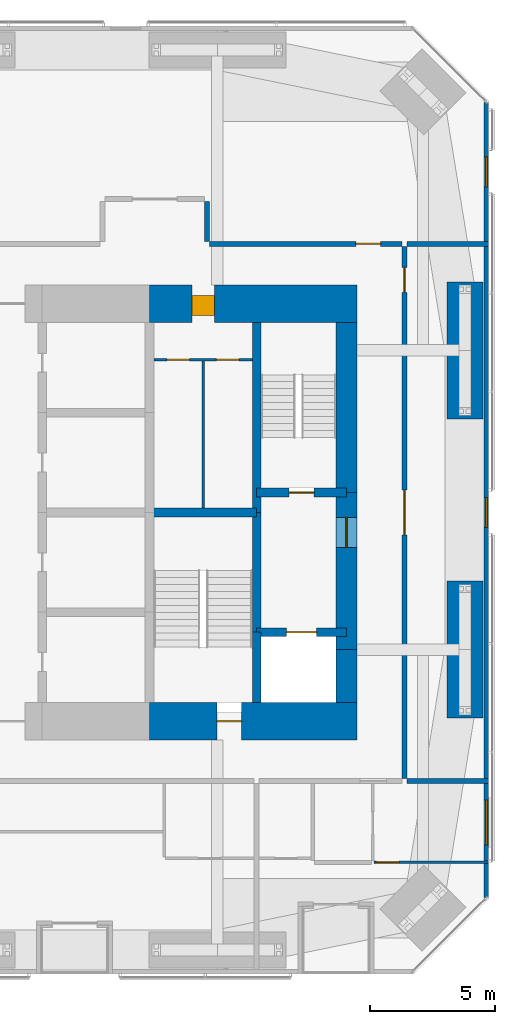
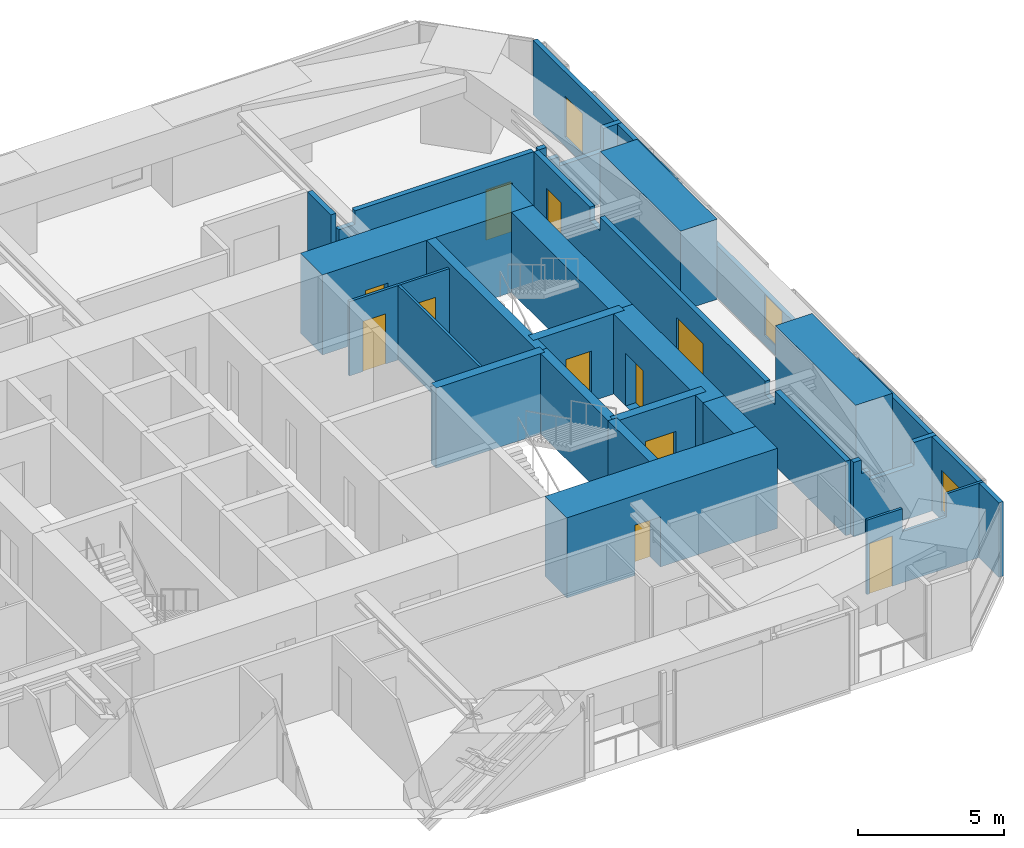
# One storey, part 21 of 24: 22 walls, 11 doors, 3 windows, 14 openings.
"""IFC4 building model written with IfcOpenShell, lengths in metres."""

import ifcopenshell
import ifcopenshell.guid

model = None  # the IFC model being written
_history = None  # IfcOwnerHistory: only IFC2X3 demands one
_inside = {}  # id of a spatial element -> (the spatial element, [elements in it])
_under = {}  # id of a project, library or spatial element -> (it, [spatial elements below it])
_declared = {}  # id of a project -> (the project, [libraries it declares])
_typed = {}  # id of a type object -> (the type object, [elements of that type])
_made_of = {}  # id of a material, layer set ... -> (it, [elements and type objects made of it])


def new_model(schema):
    """Start an empty IFC model of exactly this schema.

    Asked for "IFC4X3", IfcOpenShell would pick the latest addendum, in which some entities
    have other attributes; the version numbers below select the first issue.
    IFC2X3 requires an IfcOwnerHistory on every rooted entity: one is made here for all.
    """
    global model, _history
    if schema == "IFC4X3":
        model = ifcopenshell.file(schema_version=(4, 3, 0, 0))
    else:
        model = ifcopenshell.file(schema=schema)
    _inside.clear()
    _under.clear()
    _declared.clear()
    _typed.clear()
    _made_of.clear()
    _history = None
    if model.schema == "IFC2X3":
        org = make("IfcOrganization", Name="unknown")
        user = make(
            "IfcPersonAndOrganization",
            ThePerson=make("IfcPerson", FamilyName="unknown"),
            TheOrganization=org,
        )
        app = make(
            "IfcApplication",
            ApplicationDeveloper=org,
            Version="unknown",
            ApplicationFullName="unknown",
            ApplicationIdentifier="unknown",
        )
        _history = make(
            "IfcOwnerHistory",
            OwningUser=user,
            OwningApplication=app,
            ChangeAction="ADDED",
            CreationDate=0,
        )
    return model


def make(cls, **values):
    """One entity of the class cls with the attributes given. An attribute that is None is left unset."""
    return model.create_entity(
        cls, **{name: value for name, value in values.items() if value is not None}
    )


def rooted(cls, **values):
    """An entity with a GlobalId (a new one), such as an element, a storey or a relation."""
    return make(cls, GlobalId=ifcopenshell.guid.new(), OwnerHistory=_history, **values)


def si_unit(unit_type, name, prefix=None):
    """IfcSIUnit, for example si_unit("LENGTHUNIT", "METRE", prefix="MILLI")."""
    return make("IfcSIUnit", UnitType=unit_type, Prefix=prefix, Name=name)


def assignment(units):
    """IfcUnitAssignment: the units of a project."""
    return None if units is None else make("IfcUnitAssignment", Units=units)


def point(xyz):
    """IfcCartesianPoint."""
    return None if xyz is None else make("IfcCartesianPoint", Coordinates=xyz)


def direction(xyz):
    """IfcDirection."""
    return None if xyz is None else make("IfcDirection", DirectionRatios=xyz)


def frame(location, z_axis=None, x_axis=None):
    """IfcAxis2Placement3D, a coordinate frame: its origin and axes. An axis left out is left unset."""
    return make(
        "IfcAxis2Placement3D",
        Location=point(location),
        Axis=direction(z_axis),
        RefDirection=direction(x_axis),
    )


def frame_2d(location, x_axis=None):
    """IfcAxis2Placement2D, a coordinate frame in the plane: its origin and x axis."""
    return make(
        "IfcAxis2Placement2D", Location=point(location), RefDirection=direction(x_axis)
    )


def origin():
    """The frame at (0, 0, 0) with its axes left unset."""
    return frame((0.0, 0.0, 0.0))


def place(relative_to, where):
    """IfcLocalPlacement: puts the frame where relative to a parent placement (None: the world)."""
    return make(
        "IfcLocalPlacement", PlacementRelTo=relative_to, RelativePlacement=where
    )


def context(
    kind, dimensions, precision=None, world=None, true_north=None, identifier=None
):
    """IfcGeometricRepresentationContext, for example the 3D "Model" context."""
    return make(
        "IfcGeometricRepresentationContext",
        ContextIdentifier=identifier,
        ContextType=kind,
        CoordinateSpaceDimension=dimensions,
        Precision=precision,
        WorldCoordinateSystem=world,
        TrueNorth=true_north,
    )


def subcontext(parent, identifier, kind, view, scale=None):
    """IfcGeometricRepresentationSubContext, for example "Body" below "Model"."""
    return make(
        "IfcGeometricRepresentationSubContext",
        ContextIdentifier=identifier,
        ContextType=kind,
        ParentContext=parent,
        TargetScale=scale,
        TargetView=view,
    )


def project(units=None, contexts=None):
    """IfcProject with its units and contexts."""
    return rooted(
        "IfcProject",
        Name="project",
        RepresentationContexts=contexts,
        UnitsInContext=assignment(units),
    )


def spatial(cls, under=None, at=None, **own):
    """A site, building, storey or space (cls), placed at a placement, below another one or the project."""
    s = rooted(cls, ObjectPlacement=at, **own)
    if under is not None:
        _under.setdefault(under.id(), (under, []))[1].append(s)
    return s


def polyline(points):
    """IfcPolyline through the points."""
    return make("IfcPolyline", Points=[point(p) for p in points])


def profile(cls, at=None, kind="AREA", **sizes):
    """A parametric profile (cls). Its sizes go by their IFC names, for example OverallWidth=200.0."""
    return make(cls, ProfileType=kind, Position=at, **sizes)


def rectangle(**sizes):
    """IfcRectangleProfileDef."""
    return profile("IfcRectangleProfileDef", **sizes)


def outline(outer, holes=None, kind="AREA"):
    """IfcArbitraryClosedProfileDef: a profile drawn as a closed curve; with holes, ...WithVoids."""
    if holes is None:
        return make("IfcArbitraryClosedProfileDef", ProfileType=kind, OuterCurve=outer)
    return make(
        "IfcArbitraryProfileDefWithVoids",
        ProfileType=kind,
        OuterCurve=outer,
        InnerCurves=holes,
    )


def extrude(swept, where, along, depth):
    """IfcExtrudedAreaSolid: the profile swept, set in the frame where, extruded along a direction by depth."""
    return make(
        "IfcExtrudedAreaSolid",
        SweptArea=swept,
        Position=where,
        ExtrudedDirection=direction(along),
        Depth=depth,
    )


def shape(context_of_items, identifier, shape_type, items):
    """IfcShapeRepresentation: the items that make up one representation, for example the "Body"."""
    return make(
        "IfcShapeRepresentation",
        ContextOfItems=context_of_items,
        RepresentationIdentifier=identifier,
        RepresentationType=shape_type,
        Items=items,
    )


def material(Name=None, Category=None):
    """IfcMaterial."""
    return make("IfcMaterial", Name=Name, Category=Category)


def layer(
    of_material, thickness, ventilated=None, Name=None, Category=None, Priority=None
):
    """IfcMaterialLayer: one layer of a wall or slab, of a material (None: an air gap)."""
    return make(
        "IfcMaterialLayer",
        Material=of_material,
        LayerThickness=thickness,
        IsVentilated=ventilated,
        Name=Name,
        Category=Category,
        Priority=Priority,
    )


def layer_set(layers, Name=None):
    """IfcMaterialLayerSet."""
    return make("IfcMaterialLayerSet", MaterialLayers=layers, LayerSetName=Name)


def constituent(of_material, Name=None, Category=None, fraction=None):
    """IfcMaterialConstituent: one of the materials an element consists of."""
    return make(
        "IfcMaterialConstituent",
        Name=Name,
        Material=of_material,
        Fraction=fraction,
        Category=Category,
    )


def constituent_set(constituents=None, Name=None):
    """IfcMaterialConstituentSet."""
    return make(
        "IfcMaterialConstituentSet", Name=Name, MaterialConstituents=constituents
    )


def made_of(thing, what):
    """Note that an element or type object is made of a material, layer set ...; save() writes the relation."""
    if what is not None:
        _made_of.setdefault(what.id(), (what, []))[1].append(thing)
    return thing


def type_object(cls, material=None, **own):
    """A type object (cls), such as IfcWallType, which elements share."""
    return made_of(rooted(cls, **own), material)


def element(
    cls,
    number,
    at=None,
    inside=None,
    cuts=None,
    type_object=None,
    material=None,
    context=None,
    identifier="Body",
    shape_type=None,
    held_by="IfcProductDefinitionShape",
    body=None,
    shapes=None,
    **own,
):
    """One element of the class cls, such as IfcWall. Its Tag is "e" and its number.

    at: its placement. inside: the storey or other place that contains it. cuts: it is an
    opening in that element (IfcRelVoidsElement). A single representation is given by context,
    identifier, shape_type and body (its items); several are given by shapes. held_by: the class
    of the entity that holds the representations. save() writes the other relations.
    """
    e = rooted(cls, Tag="e%d" % number, ObjectPlacement=at, **own)
    if body is not None:
        shapes = [shape(context, identifier, shape_type, body)]
    if shapes is not None:
        e.Representation = make(held_by, Representations=shapes)
    if inside is not None:
        _inside.setdefault(inside.id(), (inside, []))[1].append(e)
    if cuts is not None:
        rooted(
            "IfcRelVoidsElement", RelatingBuildingElement=cuts, RelatedOpeningElement=e
        )
    if type_object is not None:
        _typed.setdefault(type_object.id(), (type_object, []))[1].append(e)
    return made_of(e, material)


def fill(opening, filler):
    """IfcRelFillsElement: the door or window that sits in an opening."""
    return rooted(
        "IfcRelFillsElement",
        RelatingOpeningElement=opening,
        RelatedBuildingElement=filler,
    )


def aggregate(whole, parts):
    """IfcRelAggregates: a whole, such as a stair, and the parts it consists of."""
    return rooted("IfcRelAggregates", RelatingObject=whole, RelatedObjects=parts)


def save(model, path):
    """Write the relations noted so far, then the file.

    IfcRelAggregates (storeys below a building ...), IfcRelContainedInSpatialStructure (elements
    in a storey), IfcRelDefinesByType, IfcRelAssociatesMaterial and IfcRelDeclares: one each for
    every whole, place, type object, material and project.
    """
    for whole, parts in _under.values():
        aggregate(whole, parts)
    for where, things in _inside.values():
        rooted(
            "IfcRelContainedInSpatialStructure",
            RelatedElements=things,
            RelatingStructure=where,
        )
    for kind, things in _typed.values():
        rooted("IfcRelDefinesByType", RelatedObjects=things, RelatingType=kind)
    for what, things in _made_of.values():
        rooted("IfcRelAssociatesMaterial", RelatedObjects=things, RelatingMaterial=what)
    for by, libraries in _declared.values():
        rooted("IfcRelDeclares", RelatingContext=by, RelatedDefinitions=libraries)
    model.write(path)


model = new_model("IFC4")

# Units and contexts
model_context = context("Model", 3, precision=1e-05, world=origin(), true_north=direction((0.0, 1.0)))
body_context = subcontext(model_context, "Body", "Model", "MODEL_VIEW")
ifc_project = project(units=[si_unit("LENGTHUNIT", "METRE"), si_unit("AREAUNIT", "SQUARE_METRE"), si_unit("VOLUMEUNIT", "CUBIC_METRE"), si_unit("PLANEANGLEUNIT", "RADIAN"), si_unit("MASSUNIT", "GRAM", prefix="KILO")], contexts=[model_context])

# Site, building, storey
site_placement = place(None, origin())
site = spatial("IfcSite", under=ifc_project, at=site_placement, CompositionType="ELEMENT")
building_placement = place(site_placement, origin())
building = spatial("IfcBuilding", under=site, at=building_placement, Name="Jalousie Tower", CompositionType="ELEMENT")
storey_placement = place(building_placement, frame((0.0, 0.0, 131.64990234375)))
storey = spatial("IfcBuildingStorey", under=building, at=storey_placement, Name="L36", CompositionType="ELEMENT", Elevation=131.64990234375)

# Wall, opening, door
ifc_material_1 = material(Name="Concrete f'c 120 MPa", Category="concrete")
ifc_layer_1 = layer(ifc_material_1, 1.5)
ifc_layer_set_1 = layer_set([ifc_layer_1], Name="Concrete f'c 120 MPa")
wall_type_1 = type_object("IfcWallType", Name="CORE WALL 1500", PredefinedType="SHEAR", material=ifc_layer_set_1)
wall_1_placement = place(storey_placement, frame((35.89990234375, 10.125, 0.0), z_axis=(0.0, 0.0, 1.0), x_axis=(1.0, 0.0, 0.0)))
wall_1 = element("IfcWall", 1, at=wall_1_placement, inside=storey, type_object=wall_type_1, Name="Core wall SD L36", PredefinedType="SHEAR", context=body_context, shape_type="SweptSolid", body=[
    extrude(rectangle(XDim=8.3251953125, YDim=1.5, at=frame_2d((4.16259765625, 0.0))), origin(), (0.0, 0.0, 1.0), 3.35009765625),
])
opening_1_placement = place(wall_1_placement, frame((2.699951171875, 0.0, 0.0)))
opening_1 = element("IfcOpeningElement", 2, at=opening_1_placement, cuts=wall_1, Name="Opening D10", PredefinedType="OPENING", context=body_context, shape_type="SweptSolid", body=[
    extrude(rectangle(XDim=1.0, YDim=2.10009765625, at=frame_2d((0.5, 1.050048828125))), frame((0.0, 0.760009765625, 0.0), z_axis=(0.0, -1.0, 0.0), x_axis=(1.0, 0.0, 0.0)), (0.0, 0.0, 1.0), 1.52001953125),
])
ifc_material_2 = material(Name="Steel fire door", Category="steel")
door_type_1 = type_object("IfcDoorType", Name="STAIR DOOR 1000", OperationType="SINGLE_SWING_LEFT", PredefinedType="DOOR", material=ifc_material_2)
door_1_placement = place(opening_1_placement, origin())
door_1 = element("IfcDoor", 3, at=door_1_placement, inside=storey, type_object=door_type_1, Name="Exit stair C door", OperationType="SINGLE_SWING_RIGHT", OverallHeight=2.10009765625, OverallWidth=1.0, PredefinedType="DOOR", context=body_context, shape_type="SweptSolid", body=[
    extrude(rectangle(XDim=1.0, YDim=2.10009765625, at=frame_2d((0.5, 1.050048828125))), frame((0.0, 0.02490234375, 0.0), z_axis=(0.0, -1.0, 0.0), x_axis=(1.0, 0.0, 0.0)), (0.0, 0.0, 1.0), 0.050048828125),
])
fill(opening_1, door_1)

wall_2_placement = place(storey_placement, frame((44.22509765625, 26.875, 0.0), z_axis=(0.0, 0.0, 1.0), x_axis=(-1.0, 0.0, 0.0)))
wall_2 = element("IfcWall", 4, at=wall_2_placement, inside=storey, type_object=wall_type_1, Name="Core wall NA L36", PredefinedType="SHEAR", context=body_context, shape_type="SweptSolid", body=[
    extrude(rectangle(XDim=8.3251953125, YDim=1.5, at=frame_2d((4.16259765625, 0.0))), origin(), (0.0, 0.0, 1.0), 3.35009765625),
])
opening_2_placement = place(wall_2_placement, frame((5.72509765625, 0.0, 0.0)))
opening_2 = element("IfcOpeningElement", 5, at=opening_2_placement, cuts=wall_2, Name="Opening D25", PredefinedType="OPENING", context=body_context, shape_type="SweptSolid", body=[
    extrude(rectangle(XDim=0.89990234375, YDim=2.10009765625, at=frame_2d((0.449951171875, 1.050048828125))), frame((0.0, 0.760009765625, 0.0), z_axis=(0.0, -1.0, 0.0), x_axis=(1.0, 0.0, 0.0)), (0.0, 0.0, 1.0), 1.52001953125),
])
ifc_material_3 = material(Name="Steel fire door", Category="steel")
door_type_2 = type_object("IfcDoorType", Name="SERVICE LOBBY DOOR 900", OperationType="SINGLE_SWING_LEFT", PredefinedType="DOOR", material=ifc_material_3)
door_2_placement = place(opening_2_placement, origin())
door_2 = element("IfcDoor", 6, at=door_2_placement, inside=storey, type_object=door_type_2, Name="Service lobby door", OperationType="SINGLE_SWING_LEFT", OverallHeight=2.10009765625, OverallWidth=0.89990234375, PredefinedType="DOOR", context=body_context, shape_type="SweptSolid", body=[
    extrude(rectangle(XDim=0.89990234375, YDim=2.10009765625, at=frame_2d((0.449951171875, 1.050048828125))), frame((0.0, 0.47021484375, 0.0), z_axis=(0.0, -1.0, 0.0), x_axis=(1.0, 0.0, 0.0)), (0.0, 0.0, 1.0), 0.800048828125),
])
fill(opening_2, door_2)

# Walls
ifc_material_4 = material(Name="Concrete f'c 120 MPa", Category="concrete")
ifc_layer_2 = layer(ifc_material_4, 0.35009765625)
ifc_layer_set_2 = layer_set([ifc_layer_2], Name="Concrete f'c 120 MPa")
wall_type_2 = type_object("IfcWallType", Name="CORE WALL 350", PredefinedType="SHEAR", material=ifc_layer_set_2)
wall_3_placement = place(storey_placement, frame((40.199951171875, 10.875, 0.0), z_axis=(0.0, 0.0, 1.0), x_axis=(0.0, 1.0, 0.0)))
element("IfcWall", 7, at=wall_3_placement, inside=storey, type_object=wall_type_2, Name="Core wall X40.2A L36", PredefinedType="SHEAR", context=body_context, shape_type="SweptSolid", body=[
    extrude(rectangle(XDim=2.824951171875, YDim=0.35009765625, at=frame_2d((1.41259765625, 0.0))), origin(), (0.0, 0.0, 1.0), 3.35009765625),
])
wall_4_placement = place(storey_placement, frame((40.199951171875, 13.699951171875, 0.0), z_axis=(0.0, 0.0, 1.0), x_axis=(0.0, 1.0, 0.0)))
element("IfcWall", 8, at=wall_4_placement, inside=storey, type_object=wall_type_2, Name="Core wall X40.2B L36", PredefinedType="SHEAR", context=body_context, shape_type="SweptSolid", body=[
    extrude(rectangle(XDim=4.800048828125, YDim=0.35009765625, at=frame_2d((2.39990234375, 0.0))), origin(), (0.0, 0.0, 1.0), 3.35009765625),
])
wall_5_placement = place(storey_placement, frame((40.199951171875, 18.5, 0.0), z_axis=(0.0, 0.0, 1.0), x_axis=(0.0, 1.0, 0.0)))
element("IfcWall", 9, at=wall_5_placement, inside=storey, type_object=wall_type_2, Name="Core wall X40.2C L36", PredefinedType="SHEAR", context=body_context, shape_type="SweptSolid", body=[
    extrude(rectangle(XDim=7.625, YDim=0.35009765625, at=frame_2d((3.8125, 0.0))), origin(), (0.0, 0.0, 1.0), 3.35009765625),
])
wall_6_placement = place(storey_placement, frame((35.89990234375, 18.5, 0.0), z_axis=(0.0, 0.0, 1.0), x_axis=(1.0, 0.0, 0.0)))
element("IfcWall", 10, at=wall_6_placement, inside=storey, type_object=wall_type_2, Name="Core wall Y35.9-18.5 L36", PredefinedType="SHEAR", context=body_context, shape_type="SweptSolid", body=[
    extrude(rectangle(XDim=4.300048828125, YDim=0.35009765625, at=frame_2d((2.14990234375, 0.0))), origin(), (0.0, 0.0, 1.0), 3.35009765625),
])

# Wall, opening, door
wall_7_placement = place(storey_placement, frame((40.199951171875, 13.699951171875, 0.0), z_axis=(0.0, 0.0, 1.0), x_axis=(1.0, 0.0, 0.0)))
wall_7 = element("IfcWall", 11, at=wall_7_placement, inside=storey, type_object=wall_type_2, Name="Core wall Y40.2-13.7 L36", PredefinedType="SHEAR", context=body_context, shape_type="SweptSolid", body=[
    extrude(rectangle(XDim=3.60009765625, YDim=0.35009765625, at=frame_2d((1.800048828125, 0.0))), origin(), (0.0, 0.0, 1.0), 3.35009765625),
])
opening_3_placement = place(wall_7_placement, frame((1.199951171875, 0.0, 0.0)))
opening_3 = element("IfcOpeningElement", 12, at=opening_3_placement, cuts=wall_7, Name="Opening LD2", PredefinedType="OPENING", context=body_context, shape_type="SweptSolid", body=[
    extrude(rectangle(XDim=1.199951171875, YDim=2.10009765625, at=frame_2d((0.60009765625, 1.050048828125))), frame((0.0, 0.18505859375, 0.0), z_axis=(0.0, -1.0, 0.0), x_axis=(1.0, 0.0, 0.0)), (0.0, 0.0, 1.0), 0.3701171875),
])
ifc_material_5 = material(Name="Steel lift landing door", Category="steel")
door_type_3 = type_object("IfcDoorType", Name="LIFT LANDING DOOR 1200", OperationType="SLIDING_TO_LEFT", PredefinedType="DOOR", material=ifc_material_5)
door_3_placement = place(opening_3_placement, origin())
door_3 = element("IfcDoor", 13, at=door_3_placement, inside=storey, type_object=door_type_3, Name="Lift F2 landing door", OperationType="SLIDING_TO_LEFT", OverallHeight=2.10009765625, OverallWidth=1.199951171875, PredefinedType="DOOR", context=body_context, shape_type="SweptSolid", body=[
    extrude(rectangle(XDim=1.199951171875, YDim=2.10009765625, at=frame_2d((0.60009765625, 1.050048828125))), frame((0.0, 0.02490234375, 0.0), z_axis=(0.0, -1.0, 0.0), x_axis=(1.0, 0.0, 0.0)), (0.0, 0.0, 1.0), 0.050048828125),
])
fill(opening_3, door_3)

wall_8_placement = place(storey_placement, frame((40.199951171875, 19.300048828125, 0.0), z_axis=(0.0, 0.0, 1.0), x_axis=(1.0, 0.0, 0.0)))
wall_8 = element("IfcWall", 14, at=wall_8_placement, inside=storey, type_object=wall_type_2, Name="Core wall Y40.2-19.3 L36", PredefinedType="SHEAR", context=body_context, shape_type="SweptSolid", body=[
    extrude(rectangle(XDim=3.60009765625, YDim=0.35009765625, at=frame_2d((1.800048828125, 0.0))), origin(), (0.0, 0.0, 1.0), 3.35009765625),
])
opening_4_placement = place(wall_8_placement, frame((1.300048828125, 0.0, 0.0)))
opening_4 = element("IfcOpeningElement", 15, at=opening_4_placement, cuts=wall_8, Name="Opening D10", PredefinedType="OPENING", context=body_context, shape_type="SweptSolid", body=[
    extrude(rectangle(XDim=1.0, YDim=2.10009765625, at=frame_2d((0.5, 1.050048828125))), frame((0.0, 0.18505859375, 0.0), z_axis=(0.0, -1.0, 0.0), x_axis=(1.0, 0.0, 0.0)), (0.0, 0.0, 1.0), 0.3701171875),
])
door_4_placement = place(opening_4_placement, origin())
door_4 = element("IfcDoor", 16, at=door_4_placement, inside=storey, type_object=door_type_1, Name="Exit stair B door", OperationType="SINGLE_SWING_RIGHT", OverallHeight=2.10009765625, OverallWidth=1.0, PredefinedType="DOOR", context=body_context, shape_type="SweptSolid", body=[
    extrude(rectangle(XDim=1.0, YDim=2.10009765625, at=frame_2d((0.5, 1.050048828125))), frame((0.0, 0.02490234375, 0.0), z_axis=(0.0, -1.0, 0.0), x_axis=(1.0, 0.0, 0.0)), (0.0, 0.0, 1.0), 0.050048828125),
])
fill(opening_4, door_4)

# Wall
ifc_material_6 = material(Name="Concrete f'c 120 MPa", Category="concrete")
ifc_layer_3 = layer(ifc_material_6, 0.85009765625)
ifc_layer_set_3 = layer_set([ifc_layer_3], Name="Concrete f'c 120 MPa")
wall_type_3 = type_object("IfcWallType", Name="CORE WALL 850", PredefinedType="SHEAR", material=ifc_layer_set_3)
wall_9_placement = place(storey_placement, frame((43.800048828125, 10.875, 0.0), z_axis=(0.0, 0.0, 1.0), x_axis=(0.0, 1.0, 0.0)))
element("IfcWall", 17, at=wall_9_placement, inside=storey, type_object=wall_type_3, Name="Core wall EA L36", PredefinedType="SHEAR", context=body_context, shape_type="SweptSolid", body=[
    extrude(rectangle(XDim=2.125, YDim=0.85009765625, at=frame_2d((1.0625, 0.0))), origin(), (0.0, 0.0, 1.0), 3.35009765625),
])

# Wall, opening, door
wall_10_placement = place(storey_placement, frame((43.800048828125, 13.0, 0.0), z_axis=(0.0, 0.0, 1.0), x_axis=(0.0, 1.0, 0.0)))
wall_10 = element("IfcWall", 18, at=wall_10_placement, inside=storey, type_object=wall_type_3, Name="Core wall EB L36", PredefinedType="SHEAR", context=body_context, shape_type="SweptSolid", body=[
    extrude(rectangle(XDim=6.300048828125, YDim=0.85009765625, at=frame_2d((3.14990234375, 0.0))), origin(), (0.0, 0.0, 1.0), 3.35009765625),
])
opening_5_placement = place(wall_10_placement, frame((4.10009765625, 0.0, 0.0)))
opening_5 = element("IfcOpeningElement", 19, at=opening_5_placement, cuts=wall_10, Name="Opening D11", PredefinedType="OPENING", context=body_context, shape_type="SweptSolid", body=[
    extrude(rectangle(XDim=1.199951171875, YDim=2.199951171875, at=frame_2d((0.60009765625, 1.10009765625))), frame((0.0, 0.43505859375, 0.0), z_axis=(0.0, -1.0, 0.0), x_axis=(1.0, 0.0, 0.0)), (0.0, 0.0, 1.0), 0.8701171875),
])
ifc_material_7 = material(Name="Steel fire door", Category="steel")
door_type_4 = type_object("IfcDoorType", Name="FIRE DOOR 1200", OperationType="SINGLE_SWING_LEFT", PredefinedType="DOOR", material=ifc_material_7)
door_5_placement = place(opening_5_placement, origin())
door_5 = element("IfcDoor", 20, at=door_5_placement, inside=storey, type_object=door_type_4, Name="Fire-fighting lobby B door", OperationType="SINGLE_SWING_RIGHT", OverallHeight=2.199951171875, OverallWidth=1.199951171875, PredefinedType="DOOR", context=body_context, shape_type="SweptSolid", body=[
    extrude(rectangle(XDim=1.199951171875, YDim=2.199951171875, at=frame_2d((0.60009765625, 1.10009765625))), frame((0.0, 0.02490234375, 0.0), z_axis=(0.0, -1.0, 0.0), x_axis=(1.0, 0.0, 0.0)), (0.0, 0.0, 1.0), 0.050048828125),
])
fill(opening_5, door_5)

# Wall
wall_11_placement = place(storey_placement, frame((43.800048828125, 19.300048828125, 0.0), z_axis=(0.0, 0.0, 1.0), x_axis=(0.0, 1.0, 0.0)))
element("IfcWall", 21, at=wall_11_placement, inside=storey, type_object=wall_type_3, Name="Core wall EC L36", PredefinedType="SHEAR", context=body_context, shape_type="SweptSolid", body=[
    extrude(rectangle(XDim=6.824951171875, YDim=0.85009765625, at=frame_2d((3.41259765625, 0.0))), origin(), (0.0, 0.0, 1.0), 3.35009765625),
])

# Wall, openings, doors
ifc_material_8 = material(Name="Concrete block ASTM C90", Category="concrete")
ifc_constituent_1 = constituent(ifc_material_8, Name="Body")
ifc_material_9 = material(Name="Render")
ifc_constituent_2 = constituent(ifc_material_9, Name="Finish")
ifc_constituent_set_1 = constituent_set(constituents=[ifc_constituent_1, ifc_constituent_2])
wall_type_4 = type_object("IfcWallType", Name="CORRIDOR WALL 200", PredefinedType="PARTITIONING", material=ifc_constituent_set_1)
wall_12_placement = place(storey_placement, frame((46.125, 7.824951171875, 0.0), z_axis=(0.0, 0.0, 1.0), x_axis=(0.0, 1.0, 0.0)))
wall_12 = element("IfcWall", 22, at=wall_12_placement, inside=storey, type_object=wall_type_4, Name="Corridor Wall 200 L36", PredefinedType="PARTITIONING", context=body_context, shape_type="SweptSolid", body=[
    extrude(outline(polyline([(0.0, 0.0), (21.35009765625, 0.0), (21.35009765625, 3.110107421875), (17.512451171875, 3.110107421875), (17.512451171875, 2.541015625), (16.837646484375, 2.541015625), (16.837646484375, 3.110107421875), (5.51220703125, 3.110107421875), (5.51220703125, 2.541015625), (4.837646484375, 2.541015625), (4.837646484375, 3.110107421875), (0.0, 3.110107421875), (0.0, 0.0)])), frame((0.0, 0.10009765625, 0.0), z_axis=(0.0, -1.0, 0.0), x_axis=(1.0, 0.0, 0.0)), (0.0, 0.0, 1.0), 0.199951171875),
])
opening_6_placement = place(wall_12_placement, frame((9.77490234375, 0.0, 0.0)))
opening_6 = element("IfcOpeningElement", 23, at=opening_6_placement, cuts=wall_12, Name="Opening D22", PredefinedType="OPENING", context=body_context, shape_type="SweptSolid", body=[
    extrude(rectangle(XDim=1.800048828125, YDim=2.10009765625, at=frame_2d((0.89990234375, 1.050048828125))), frame((0.0, 0.10986328125, 0.0), z_axis=(0.0, -1.0, 0.0), x_axis=(1.0, 0.0, 0.0)), (0.0, 0.0, 1.0), 0.219970703125),
])
opening_7_placement = place(wall_12_placement, frame((19.5, 0.0, 0.0)))
opening_7 = element("IfcOpeningElement", 24, at=opening_7_placement, cuts=wall_12, Name="Opening D21", PredefinedType="OPENING", context=body_context, shape_type="SweptSolid", body=[
    extrude(rectangle(XDim=1.0, YDim=2.10009765625, at=frame_2d((0.5, 1.050048828125))), frame((0.0, 0.10986328125, 0.0), z_axis=(0.0, -1.0, 0.0), x_axis=(1.0, 0.0, 0.0)), (0.0, 0.0, 1.0), 0.219970703125),
])
ifc_material_10 = material(Name="Timber fire door", Category="wood")
door_type_5 = type_object("IfcDoorType", Name="CORRIDOR DOOR 1000", OperationType="SINGLE_SWING_LEFT", PredefinedType="DOOR", material=ifc_material_10)
door_6_placement = place(opening_7_placement, frame((1.0, 0.0, 0.0), z_axis=(0.0, 0.0, 1.0), x_axis=(-1.0, 0.0, 0.0)))
door_6 = element("IfcDoor", 25, at=door_6_placement, inside=storey, type_object=door_type_5, Name="Lounge second door", OperationType="SINGLE_SWING_LEFT", OverallHeight=2.10009765625, OverallWidth=1.0, PredefinedType="DOOR", context=body_context, shape_type="SweptSolid", body=[
    extrude(rectangle(XDim=1.0, YDim=2.10009765625, at=frame_2d((0.5, 1.050048828125))), frame((0.0, 0.02490234375, 0.0), z_axis=(0.0, -1.0, 0.0), x_axis=(1.0, 0.0, 0.0)), (0.0, 0.0, 1.0), 0.050048828125),
])
fill(opening_7, door_6)
ifc_material_11 = material(Name="Timber fire door", Category="wood")
door_type_6 = type_object("IfcDoorType", Name="CORRIDOR DOUBLE DOOR 1800", OperationType="DOUBLE_DOOR_SINGLE_SWING", PredefinedType="DOOR", material=ifc_material_11)
door_7_placement = place(opening_6_placement, frame((1.800048828125, 0.0, 0.0), z_axis=(0.0, 0.0, 1.0), x_axis=(-1.0, 0.0, 0.0)))
door_7 = element("IfcDoor", 26, at=door_7_placement, inside=storey, type_object=door_type_6, Name="Lounge door", OperationType="DOUBLE_DOOR_SINGLE_SWING", OverallHeight=2.10009765625, OverallWidth=1.800048828125, PredefinedType="DOOR", context=body_context, shape_type="SweptSolid", body=[
    extrude(rectangle(XDim=1.800048828125, YDim=2.10009765625, at=frame_2d((0.89990234375, 1.050048828125))), frame((0.0, 0.02490234375, 0.0), z_axis=(0.0, -1.0, 0.0), x_axis=(1.0, 0.0, 0.0)), (0.0, 0.0, 1.0), 0.050048828125),
])
fill(opening_6, door_7)

# Wall, opening, door
wall_13_placement = place(storey_placement, frame((38.3125, 29.27490234375, 0.0), z_axis=(0.0, 0.0, 1.0), x_axis=(1.0, 0.0, 0.0)))
wall_13 = element("IfcWall", 27, at=wall_13_placement, inside=storey, type_object=wall_type_4, Name="Corridor Wall 200 L36", PredefinedType="PARTITIONING", context=body_context, shape_type="SweptSolid", body=[
    extrude(outline(polyline([(0.0, 0.0), (7.71240234375, 0.0), (7.71240234375, 3.110107421875), (0.64990234375, 3.110107421875), (0.64990234375, 2.541015625), (0.0, 2.541015625), (0.0, 3.110107421875), (0.0, 0.0)])), frame((0.0, 0.10009765625, 0.0), z_axis=(0.0, -1.0, 0.0), x_axis=(1.0, 0.0, 0.0)), (0.0, 0.0, 1.0), 0.199951171875),
])
opening_8_placement = place(wall_13_placement, frame((5.862548828125, 0.0, 0.0)))
opening_8 = element("IfcOpeningElement", 28, at=opening_8_placement, cuts=wall_13, Name="Opening D21", PredefinedType="OPENING", context=body_context, shape_type="SweptSolid", body=[
    extrude(rectangle(XDim=1.0, YDim=2.10009765625, at=frame_2d((0.5, 1.050048828125))), frame((0.0, 0.10986328125, 0.0), z_axis=(0.0, -1.0, 0.0), x_axis=(1.0, 0.0, 0.0)), (0.0, 0.0, 1.0), 0.219970703125),
])
door_8_placement = place(opening_8_placement, origin())
door_8 = element("IfcDoor", 29, at=door_8_placement, inside=storey, type_object=door_type_5, Name="Residents' bay-view lounge second door", OperationType="SINGLE_SWING_RIGHT", OverallHeight=2.10009765625, OverallWidth=1.0, PredefinedType="DOOR", context=body_context, shape_type="SweptSolid", body=[
    extrude(rectangle(XDim=1.0, YDim=2.10009765625, at=frame_2d((0.5, 1.050048828125))), frame((0.0, 0.02490234375, 0.0), z_axis=(0.0, -1.0, 0.0), x_axis=(1.0, 0.0, 0.0)), (0.0, 0.0, 1.0), 0.050048828125),
])
fill(opening_8, door_8)

# Wall
wall_14_placement = place(storey_placement, frame((38.21240234375, 29.375, 0.0), z_axis=(0.0, 0.0, 1.0), x_axis=(0.0, 1.0, 0.0)))
element("IfcWall", 30, at=wall_14_placement, inside=storey, type_object=wall_type_4, Name="Corridor Wall 200 L36", PredefinedType="PARTITIONING", context=body_context, shape_type="SweptSolid", body=[
    extrude(rectangle(XDim=1.60009765625, YDim=0.199951171875, at=frame_2d((0.800048828125, 0.0))), origin(), (0.0, 0.0, 1.0), 3.110107421875),
])

# Wall, openings, windows
ifc_material_12 = material(Name="Concrete f'c 40 MPa", Category="concrete")
ifc_constituent_3 = constituent(ifc_material_12, Name="Body")
ifc_material_13 = material(Name="Render, pastel sea green")
ifc_constituent_4 = constituent(ifc_material_13, Name="Finish")
ifc_constituent_set_2 = constituent_set(constituents=[ifc_constituent_3, ifc_constituent_4])
wall_type_5 = type_object("IfcWallType", Name="EXTERNAL WALL 175 SEA GREEN RENDER", PredefinedType="SOLIDWALL", material=ifc_constituent_set_2)
wall_15_placement = place(storey_placement, frame((49.41259765625, 3.05126953125, 0.0), z_axis=(0.0, 0.0, 1.0), x_axis=(0.0, 1.0, 0.0)))
wall_15 = element("IfcWall", 31, at=wall_15_placement, inside=storey, type_object=wall_type_5, Name="External Wall 175 Sea Green Render L36", PredefinedType="SOLIDWALL", context=body_context, shape_type="SweptSolid", body=[
    extrude(outline(polyline([(0.0, 0.0), (31.8974609375, 0.0), (31.8974609375, 3.110107421875), (22.167236328125, 3.110107421875), (22.167236328125, 2.150146484375), (22.074462890625, 2.150146484375), (22.074462890625, 3.110107421875), (21.94873046875, 3.110107421875), (21.94873046875, 2.150146484375), (9.94873046875, 2.150146484375), (9.94873046875, 3.110107421875), (9.822998046875, 3.110107421875), (9.822998046875, 2.150146484375), (9.72998046875, 2.150146484375), (9.72998046875, 3.110107421875), (0.0, 3.110107421875), (0.0, 0.0)])), frame((0.0, 0.08740234375, 0.0), z_axis=(0.0, -1.0, 0.0), x_axis=(1.0, 0.0, 0.0)), (0.0, 0.0, 1.0), 0.175048828125),
])
opening_9_placement = place(wall_15_placement, frame((2.1181640625, 0.0, 0.39990234375)))
opening_9 = element("IfcOpeningElement", 32, at=opening_9_placement, cuts=wall_15, Name="Opening W-BED170", PredefinedType="OPENING", context=body_context, shape_type="SweptSolid", body=[
    extrude(rectangle(XDim=1.800048828125, YDim=1.699951171875, at=frame_2d((0.89990234375, 0.85009765625))), frame((0.0, 0.097412109375, 0.0), z_axis=(0.0, -1.0, 0.0), x_axis=(1.0, 0.0, 0.0)), (0.0, 0.0, 1.0), 0.195068359375),
])
opening_10_placement = place(wall_15_placement, frame((14.8486328125, 0.0, 0.39990234375)))
opening_10 = element("IfcOpeningElement", 33, at=opening_10_placement, cuts=wall_15, Name="Opening W-COR170", PredefinedType="OPENING", context=body_context, shape_type="SweptSolid", body=[
    extrude(rectangle(XDim=1.199951171875, YDim=1.699951171875, at=frame_2d((0.60009765625, 0.85009765625))), frame((0.0, 0.097412109375, 0.0), z_axis=(0.0, -1.0, 0.0), x_axis=(1.0, 0.0, 0.0)), (0.0, 0.0, 1.0), 0.195068359375),
])
opening_11_placement = place(wall_15_placement, frame((28.510498046875, 0.0, 0.39990234375)))
opening_11 = element("IfcOpeningElement", 34, at=opening_11_placement, cuts=wall_15, Name="Opening W-COR170", PredefinedType="OPENING", context=body_context, shape_type="SweptSolid", body=[
    extrude(rectangle(XDim=1.199951171875, YDim=1.699951171875, at=frame_2d((0.60009765625, 0.85009765625))), frame((0.0, 0.097412109375, 0.0), z_axis=(0.0, -1.0, 0.0), x_axis=(1.0, 0.0, 0.0)), (0.0, 0.0, 1.0), 0.195068359375),
])
ifc_material_14 = material(Name="Aluminium frame, impact-rated glazing", Category="aluminium")
window_type_1 = type_object("IfcWindowType", Name="WINDOW BED 1800x1700", PartitioningType="SINGLE_PANEL", PredefinedType="WINDOW", material=ifc_material_14)
window_1_placement = place(opening_9_placement, origin())
window_1 = element("IfcWindow", 35, at=window_1_placement, inside=storey, type_object=window_type_1, Name="Apartment 3602 bedroom 1 window", OverallHeight=1.699951171875, OverallWidth=1.800048828125, PartitioningType="SINGLE_PANEL", PredefinedType="WINDOW", context=body_context, shape_type="SweptSolid", body=[
    extrude(rectangle(XDim=1.800048828125, YDim=1.699951171875, at=frame_2d((0.89990234375, 0.85009765625))), frame((0.0, 0.030029296875, 0.0), z_axis=(0.0, -1.0, 0.0), x_axis=(1.0, 0.0, 0.0)), (0.0, 0.0, 1.0), 0.06005859375),
])
fill(opening_9, window_1)
ifc_material_15 = material(Name="Aluminium frame, impact-rated glazing", Category="aluminium")
window_type_2 = type_object("IfcWindowType", Name="WINDOW COR 1200x1700", PartitioningType="SINGLE_PANEL", PredefinedType="WINDOW", material=ifc_material_15)
window_2_placement = place(opening_10_placement, origin())
window_2 = element("IfcWindow", 36, at=window_2_placement, inside=storey, type_object=window_type_2, Name="Residents' lounge window", OverallHeight=1.699951171875, OverallWidth=1.199951171875, PartitioningType="SINGLE_PANEL", PredefinedType="WINDOW", context=body_context, shape_type="SweptSolid", body=[
    extrude(rectangle(XDim=1.199951171875, YDim=1.699951171875, at=frame_2d((0.60009765625, 0.85009765625))), frame((0.0, 0.030029296875, 0.0), z_axis=(0.0, -1.0, 0.0), x_axis=(1.0, 0.0, 0.0)), (0.0, 0.0, 1.0), 0.06005859375),
])
fill(opening_10, window_2)
window_3_placement = place(opening_11_placement, origin())
window_3 = element("IfcWindow", 37, at=window_3_placement, inside=storey, type_object=window_type_2, Name="Residents' bay-view lounge window", OverallHeight=1.699951171875, OverallWidth=1.199951171875, PartitioningType="SINGLE_PANEL", PredefinedType="WINDOW", context=body_context, shape_type="SweptSolid", body=[
    extrude(rectangle(XDim=1.199951171875, YDim=1.699951171875, at=frame_2d((0.60009765625, 0.85009765625))), frame((0.0, 0.030029296875, 0.0), z_axis=(0.0, -1.0, 0.0), x_axis=(1.0, 0.0, 0.0)), (0.0, 0.0, 1.0), 0.06005859375),
])
fill(opening_11, window_3)

# Wall, opening, door
ifc_material_16 = material(Name="Gypsum board", Category="gypsum")
ifc_constituent_5 = constituent(ifc_material_16, Name="Body")
ifc_material_17 = material(Name="Light-gauge steel studs ASTM A653 SS Grade 33", Category="steel")
ifc_constituent_6 = constituent(ifc_material_17, Name="Framing")
ifc_constituent_set_3 = constituent_set(constituents=[ifc_constituent_5, ifc_constituent_6])
wall_type_6 = type_object("IfcWallType", Name="PARTITION 100", PredefinedType="PARTITIONING", material=ifc_constituent_set_3)
wall_16_placement = place(storey_placement, frame((44.89990234375, 4.4638671875, 0.0), z_axis=(0.0, 0.0, 1.0), x_axis=(1.0, 0.0, 0.0)))
wall_16 = element("IfcWall", 38, at=wall_16_placement, inside=storey, type_object=wall_type_6, Name="Partition 100 L36", PredefinedType="PARTITIONING", context=body_context, shape_type="SweptSolid", body=[
    extrude(outline(polyline([(0.0, 0.0), (4.60009765625, 0.0), (4.60009765625, 3.110107421875), (3.136962890625, 3.110107421875), (3.136962890625, 2.150146484375), (1.39453125, 2.150146484375), (1.39453125, 3.110107421875), (0.0, 3.110107421875), (0.0, 0.0)])), frame((0.0, 0.050048828125, 0.0), z_axis=(0.0, -1.0, 0.0), x_axis=(1.0, 0.0, 0.0)), (0.0, 0.0, 1.0), 0.10009765625),
])
opening_12_placement = place(wall_16_placement, frame((0.10009765625, 0.0, 0.0)))
opening_12 = element("IfcOpeningElement", 39, at=opening_12_placement, cuts=wall_16, Name="Opening D2", PredefinedType="OPENING", context=body_context, shape_type="SweptSolid", body=[
    extrude(rectangle(XDim=0.89990234375, YDim=2.10009765625, at=frame_2d((0.449951171875, 1.050048828125))), frame((0.0, 0.06005859375, 0.0), z_axis=(0.0, -1.0, 0.0), x_axis=(1.0, 0.0, 0.0)), (0.0, 0.0, 1.0), 0.1201171875),
])
ifc_material_18 = material(Name="Timber door", Category="wood")
door_type_7 = type_object("IfcDoorType", Name="BEDROOM DOOR 900", OperationType="SINGLE_SWING_LEFT", PredefinedType="DOOR", material=ifc_material_18)
door_9_placement = place(opening_12_placement, origin())
door_9 = element("IfcDoor", 40, at=door_9_placement, inside=storey, type_object=door_type_7, Name="Apartment 3602 bedroom 1 door", OperationType="SINGLE_SWING_LEFT", OverallHeight=2.10009765625, OverallWidth=0.89990234375, PredefinedType="DOOR", context=body_context, shape_type="SweptSolid", body=[
    extrude(rectangle(XDim=0.89990234375, YDim=2.10009765625, at=frame_2d((0.449951171875, 1.050048828125))), frame((0.0, 0.02490234375, 0.0), z_axis=(0.0, -1.0, 0.0), x_axis=(1.0, 0.0, 0.0)), (0.0, 0.0, 1.0), 0.050048828125),
])
fill(opening_12, door_9)

# Wall, openings, doors
wall_17_placement = place(storey_placement, frame((36.074951171875, 24.625, 0.0), z_axis=(0.0, 0.0, 1.0), x_axis=(1.0, 0.0, 0.0)))
wall_17 = element("IfcWall", 41, at=wall_17_placement, inside=storey, type_object=wall_type_6, Name="Partition 100 L36", PredefinedType="PARTITIONING", context=body_context, shape_type="SweptSolid", body=[
    extrude(rectangle(XDim=3.949951171875, YDim=0.10009765625, at=frame_2d((1.97509765625, 0.0))), origin(), (0.0, 0.0, 1.0), 3.110107421875),
])
opening_13_placement = place(wall_17_placement, frame((0.53759765625, 0.0, 0.0)))
opening_13 = element("IfcOpeningElement", 42, at=opening_13_placement, cuts=wall_17, Name="Opening D7", PredefinedType="OPENING", context=body_context, shape_type="SweptSolid", body=[
    extrude(rectangle(XDim=0.89990234375, YDim=2.10009765625, at=frame_2d((0.449951171875, 1.050048828125))), frame((0.0, 0.06005859375, 0.0), z_axis=(0.0, -1.0, 0.0), x_axis=(1.0, 0.0, 0.0)), (0.0, 0.0, 1.0), 0.1201171875),
])
opening_14_placement = place(wall_17_placement, frame((2.512451171875, 0.0, 0.0)))
opening_14 = element("IfcOpeningElement", 43, at=opening_14_placement, cuts=wall_17, Name="Opening D7", PredefinedType="OPENING", context=body_context, shape_type="SweptSolid", body=[
    extrude(rectangle(XDim=0.89990234375, YDim=2.10009765625, at=frame_2d((0.449951171875, 1.050048828125))), frame((0.0, 0.06005859375, 0.0), z_axis=(0.0, -1.0, 0.0), x_axis=(1.0, 0.0, 0.0)), (0.0, 0.0, 1.0), 0.1201171875),
])
ifc_material_19 = material(Name="Timber door", Category="wood")
door_type_8 = type_object("IfcDoorType", Name="INTERNAL DOOR 900", OperationType="SINGLE_SWING_LEFT", PredefinedType="DOOR", material=ifc_material_19)
door_10_placement = place(opening_13_placement, frame((0.89990234375, 0.0, 0.0), z_axis=(0.0, 0.0, 1.0), x_axis=(-1.0, 0.0, 0.0)))
door_10 = element("IfcDoor", 44, at=door_10_placement, inside=storey, type_object=door_type_8, Name="Cleaner's store door", OperationType="SINGLE_SWING_LEFT", OverallHeight=2.10009765625, OverallWidth=0.89990234375, PredefinedType="DOOR", context=body_context, shape_type="SweptSolid", body=[
    extrude(rectangle(XDim=0.89990234375, YDim=2.10009765625, at=frame_2d((0.449951171875, 1.050048828125))), frame((0.0, 0.02490234375, 0.0), z_axis=(0.0, -1.0, 0.0), x_axis=(1.0, 0.0, 0.0)), (0.0, 0.0, 1.0), 0.050048828125),
])
fill(opening_13, door_10)
door_11_placement = place(opening_14_placement, frame((0.89990234375, 0.0, 0.0), z_axis=(0.0, 0.0, 1.0), x_axis=(-1.0, 0.0, 0.0)))
door_11 = element("IfcDoor", 45, at=door_11_placement, inside=storey, type_object=door_type_8, Name="Linen store door", OperationType="SINGLE_SWING_RIGHT", OverallHeight=2.10009765625, OverallWidth=0.89990234375, PredefinedType="DOOR", context=body_context, shape_type="SweptSolid", body=[
    extrude(rectangle(XDim=0.89990234375, YDim=2.10009765625, at=frame_2d((0.449951171875, 1.050048828125))), frame((0.0, 0.02490234375, 0.0), z_axis=(0.0, -1.0, 0.0), x_axis=(1.0, 0.0, 0.0)), (0.0, 0.0, 1.0), 0.050048828125),
])
fill(opening_14, door_11)

# Walls
wall_18_placement = place(storey_placement, frame((38.050048828125, 18.675048828125, 0.0), z_axis=(0.0, 0.0, 1.0), x_axis=(0.0, 1.0, 0.0)))
element("IfcWall", 46, at=wall_18_placement, inside=storey, type_object=wall_type_6, Name="Partition 100 L36", PredefinedType="PARTITIONING", context=body_context, shape_type="SweptSolid", body=[
    extrude(rectangle(XDim=5.89990234375, YDim=0.10009765625, at=frame_2d((2.949951171875, 0.0))), origin(), (0.0, 0.0, 1.0), 3.110107421875),
])
ifc_material_20 = material(Name="Concrete block ASTM C90", Category="concrete")
ifc_constituent_7 = constituent(ifc_material_20, Name="Body")
ifc_material_21 = material(Name="Render")
ifc_constituent_8 = constituent(ifc_material_21, Name="Finish")
ifc_constituent_set_4 = constituent_set(constituents=[ifc_constituent_7, ifc_constituent_8])
wall_type_7 = type_object("IfcWallType", Name="PARTY WALL 200", PredefinedType="PARTITIONING", material=ifc_constituent_set_4)
wall_19_placement = place(storey_placement, frame((46.22509765625, 7.72509765625, 0.0), z_axis=(0.0, 0.0, 1.0), x_axis=(1.0, 0.0, 0.0)))
element("IfcWall", 47, at=wall_19_placement, inside=storey, type_object=wall_type_7, Name="Party Wall 200 L36", PredefinedType="PARTITIONING", context=body_context, shape_type="SweptSolid", body=[
    extrude(outline(polyline([(0.0, 0.0), (3.27490234375, 0.0), (3.27490234375, 3.110107421875), (2.3916015625, 3.110107421875), (2.3916015625, 2.150146484375), (0.642822265625, 2.150146484375), (0.642822265625, 2.541015625), (0.30615234375, 2.541015625), (0.30615234375, 3.110107421875), (0.0, 3.110107421875), (0.0, 0.0)])), frame((0.0, 0.10009765625, 0.0), z_axis=(0.0, -1.0, 0.0), x_axis=(1.0, 0.0, 0.0)), (0.0, 0.0, 1.0), 0.199951171875),
])
wall_20_placement = place(storey_placement, frame((46.22509765625, 29.27490234375, 0.0), z_axis=(0.0, 0.0, 1.0), x_axis=(1.0, 0.0, 0.0)))
element("IfcWall", 48, at=wall_20_placement, inside=storey, type_object=wall_type_7, Name="Party Wall 200 L36", PredefinedType="PARTITIONING", context=body_context, shape_type="SweptSolid", body=[
    extrude(outline(polyline([(0.0, 0.0), (3.27490234375, 0.0), (3.27490234375, 3.110107421875), (2.5537109375, 3.110107421875), (2.5537109375, 2.150146484375), (0.80517578125, 2.150146484375), (0.80517578125, 2.541015625), (0.30615234375, 2.541015625), (0.30615234375, 3.110107421875), (0.0, 3.110107421875), (0.0, 0.0)])), frame((0.0, 0.10009765625, 0.0), z_axis=(0.0, -1.0, 0.0), x_axis=(1.0, 0.0, 0.0)), (0.0, 0.0, 1.0), 0.199951171875),
])
ifc_material_22 = material(Name="Concrete f'c 120 MPa", Category="concrete")
ifc_layer_4 = layer(ifc_material_22, 1.449951171875)
ifc_layer_set_4 = layer_set([ifc_layer_4], Name="Concrete f'c 120 MPa")
wall_type_8 = type_object("IfcWallType", Name="RC WALL PIER 1450", PredefinedType="SHEAR", material=ifc_layer_set_4)
for number, where, z_axis, x_axis, name in (
    (49, (48.550048828125, 10.25, 0.0), (0.0, 0.0, 1.0), (0.0, 1.0, 0.0), "Wall pier 06 L36"),
    (50, (48.550048828125, 22.25, 0.0), (0.0, 0.0, 1.0), (0.0, 1.0, 0.0), "Wall pier 07 L36"),
):
    element("IfcWall", number, at=place(storey_placement, frame(where, z_axis=z_axis, x_axis=x_axis)), inside=storey, type_object=wall_type_8, Name=name, PredefinedType="SHEAR", context=body_context, shape_type="SweptSolid", body=[
        extrude(rectangle(XDim=5.5, YDim=1.449951171875, at=frame_2d((2.75, 0.0))), origin(), (0.0, 0.0, 1.0), 3.35009765625),
    ])

save(model, "model.ifc")
